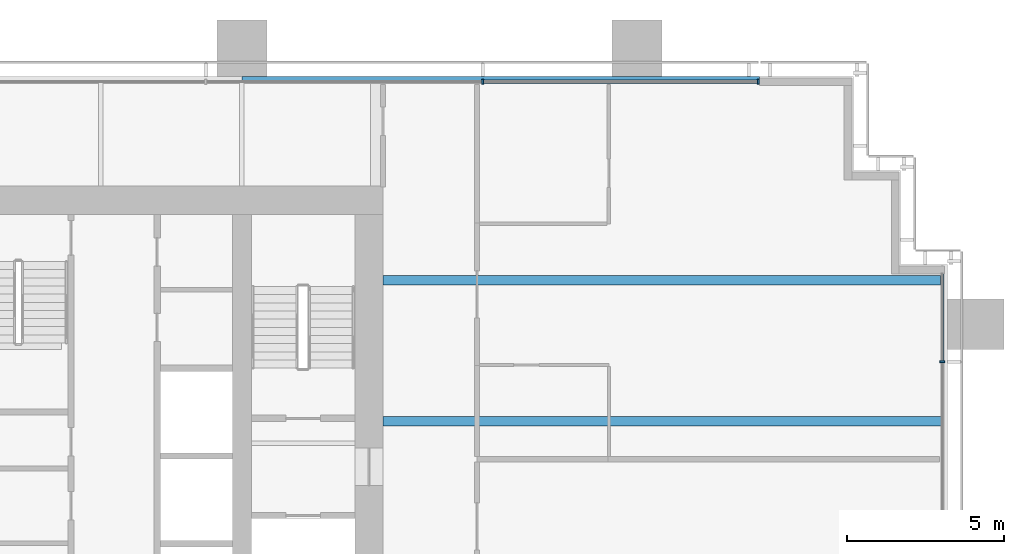
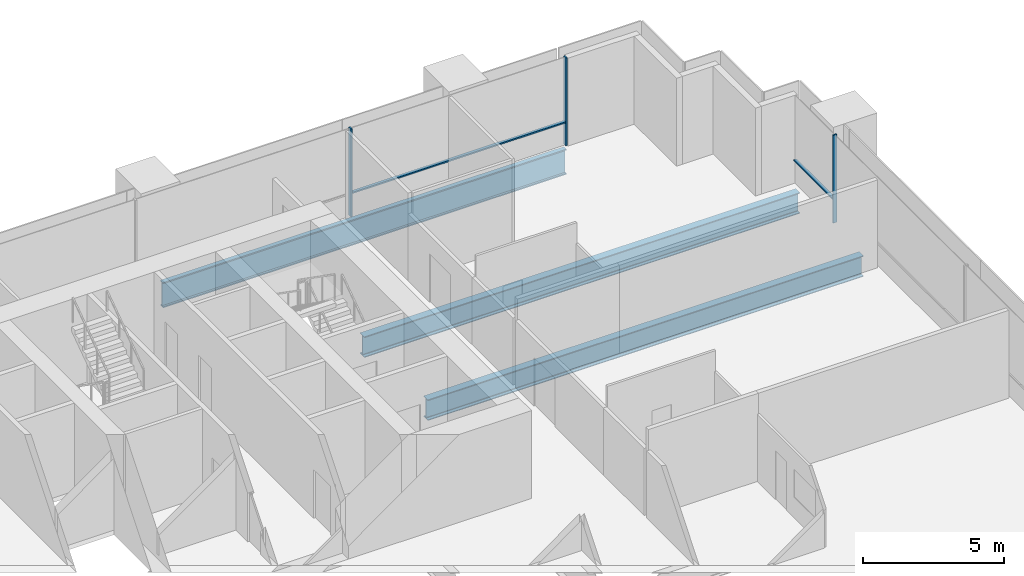
# One storey, part 10 of 19: 5 members, 3 beams, 2 elements without a shape of their own.
"""IFC4 building model written with IfcOpenShell, lengths in metres."""

from ifc_helpers import new_model, si_unit, direction, frame, origin, origin_2d, place, context, subcontext, project, spatial, rectangle, i_section, extrude, material, material_profile, profile_set, type_object, element, aggregate, save


model = new_model("IFC4")

# Units and contexts
model_context = context("Model", 3, precision=1e-05, world=origin(), true_north=direction((0.0, 1.0)))
body_context = subcontext(model_context, "Body", "Model", "MODEL_VIEW")
ifc_project = project(units=[si_unit("LENGTHUNIT", "METRE"), si_unit("AREAUNIT", "SQUARE_METRE"), si_unit("VOLUMEUNIT", "CUBIC_METRE"), si_unit("PLANEANGLEUNIT", "RADIAN"), si_unit("MASSUNIT", "GRAM", prefix="KILO")], contexts=[model_context])

# Site, building, storey
site_placement = place(None, origin())
site = spatial("IfcSite", under=ifc_project, at=site_placement, CompositionType="ELEMENT")
building_placement = place(site_placement, origin())
building = spatial("IfcBuilding", under=site, at=building_placement, Name="Rattan Terrace Tower", CompositionType="ELEMENT")
storey_placement = place(building_placement, frame((0.0, 0.0, 111.699951171875)))
storey = spatial("IfcBuildingStorey", under=building, at=storey_placement, Name="L25", CompositionType="ELEMENT", Elevation=111.699951171875)

# Curtain wall, member
ifc_material_1 = material(Name="Aluminium and glass", Category="aluminium")
curtain_wall_type = type_object("IfcCurtainWallType", Name="Facade Unitised Curtain Wall", PredefinedType="NOTDEFINED", material=ifc_material_1)
curtain_wall_1_placement = place(storey_placement, origin())
curtain_wall_1 = element("IfcCurtainWall", 1, at=curtain_wall_1_placement, inside=storey, type_object=curtain_wall_type, Name="Curtain wall L25-1", PredefinedType="NOTDEFINED")
ifc_material_2 = material(Name="Aluminium", Category="aluminium")
ifc_material_profile_1 = material_profile(ifc_material_2, rectangle(XDim=0.06005859375, YDim=0.159912109375, at=origin_2d()), Name="Aluminium 60x160")
ifc_profile_set_1 = profile_set([ifc_material_profile_1], Name="Aluminium")
member_type_1 = type_object("IfcMemberType", Name="Facade CW Mullion 60x160", PredefinedType="MULLION", material=ifc_profile_set_1)
member_1_placement = place(storey_placement, frame((35.830078125, 1.89990234375, 0.0), z_axis=(0.0, 0.0, 1.0), x_axis=(0.0, 1.0, 0.0)))
member_1 = element("IfcMember", 2, at=member_1_placement, type_object=member_type_1, Name="Mullion cwl-L25-001.4", PredefinedType="MULLION", context=body_context, shape_type="SweptSolid", body=[
    extrude(rectangle(XDim=0.06005859375, YDim=0.159912109375, at=origin_2d()), origin(), (0.0, 0.0, 1.0), 3.800048828125),
])

# Curtain wall, members
curtain_wall_2_placement = place(storey_placement, origin())
curtain_wall_2 = element("IfcCurtainWall", 3, at=curtain_wall_2_placement, inside=storey, type_object=curtain_wall_type, Name="Curtain wall L25-2", PredefinedType="NOTDEFINED")
member_2_placement = place(storey_placement, frame((29.969970703125, 10.830078125, 0.0), z_axis=(0.0, 0.0, 1.0), x_axis=(-1.0, 0.0, 0.0)))
member_2 = element("IfcMember", 4, at=member_2_placement, type_object=member_type_1, Name="Mullion cwl-L25-002.1", PredefinedType="MULLION", context=body_context, shape_type="SweptSolid", body=[
    extrude(rectangle(XDim=0.06005859375, YDim=0.159912109375, at=origin_2d()), origin(), (0.0, 0.0, 1.0), 3.800048828125),
])
member_3_placement = place(storey_placement, frame((21.177001953125, 10.830078125, 0.0), z_axis=(0.0, 0.0, 1.0), x_axis=(-1.0, 0.0, 0.0)))
member_3 = element("IfcMember", 5, at=member_3_placement, type_object=member_type_1, Name="Mullion cwl-L25-002.2", PredefinedType="MULLION", context=body_context, shape_type="SweptSolid", body=[
    extrude(rectangle(XDim=0.06005859375, YDim=0.159912109375, at=origin_2d()), origin(), (0.0, 0.0, 1.0), 3.800048828125),
])

# Member
ifc_material_3 = material(Name="Aluminium", Category="aluminium")
ifc_material_profile_2 = material_profile(ifc_material_3, rectangle(XDim=0.1201171875, YDim=0.06005859375, at=origin_2d()), Name="Aluminium 120x60")
ifc_profile_set_2 = profile_set([ifc_material_profile_2], Name="Aluminium")
member_type_2 = type_object("IfcMemberType", Name="Facade CW Transom 120x60", PredefinedType="USERDEFINED", material=ifc_profile_set_2)
member_4_placement = place(storey_placement, frame((35.830078125, 1.929931640625, 1.0), z_axis=(0.0, 1.0, 0.0), x_axis=(-1.0, 0.0, 0.0)))
member_4 = element("IfcMember", 6, at=member_4_placement, type_object=member_type_2, Name="Transom cwl-L25-001.4", ObjectType="TRANSOM", PredefinedType="USERDEFINED", context=body_context, shape_type="SweptSolid", body=[
    extrude(rectangle(XDim=0.1201171875, YDim=0.06005859375, at=origin_2d()), origin(), (0.0, 0.0, 1.0), 2.775146484375),
])

aggregate(curtain_wall_1, [member_1, member_4])

member_5_placement = place(storey_placement, frame((29.93994140625, 10.830078125, 1.0), z_axis=(-1.0, 0.0, 0.0), x_axis=(0.0, -1.0, 0.0)))
member_5 = element("IfcMember", 7, at=member_5_placement, type_object=member_type_2, Name="Transom cwl-L25-002.1", ObjectType="TRANSOM", PredefinedType="USERDEFINED", context=body_context, shape_type="SweptSolid", body=[
    extrude(rectangle(XDim=0.1201171875, YDim=0.06005859375, at=origin_2d()), origin(), (0.0, 0.0, 1.0), 8.73291015625),
])

aggregate(curtain_wall_2, [member_2, member_3, member_5])

# Beams
ifc_material_4 = material(Name="Steel S460", Category="steel")
ifc_material_profile_3 = material_profile(ifc_material_4, i_section(OverallWidth=0.179931640625, OverallDepth=1.10009765625, WebThickness=0.01611328125, FlangeThickness=0.050048828125, at=origin_2d()), Name="PG 1100x180-16-50")
ifc_profile_set_3 = profile_set([ifc_material_profile_3], Name="Steel S460")
beam_type_1 = type_object("IfcBeamType", Name="Frame edge girder PG 1100x180-16-50", PredefinedType="SPANDREL", material=ifc_profile_set_3)
beam_placement = place(storey_placement, frame((30.0, 10.909912109375, -0.75), z_axis=(-1.0, 0.0, 0.0), x_axis=(0.0, -1.0, 0.0)))
element("IfcBeam", 8, at=beam_placement, inside=storey, type_object=beam_type_1, Name="gdr-L25-008", PredefinedType="SPANDREL", context=body_context, shape_type="SweptSolid", body=[
    extrude(i_section(OverallWidth=0.179931640625, OverallDepth=1.10009765625, WebThickness=0.01611328125, FlangeThickness=0.050048828125, at=origin_2d()), origin(), (0.0, 0.0, 1.0), 16.5),
])
ifc_material_5 = material(Name="Steel S355", Category="steel")
ifc_material_profile_4 = material_profile(ifc_material_5, i_section(OverallWidth=0.300048828125, OverallDepth=0.89990234375, WebThickness=0.0185546875, FlangeThickness=0.034912109375, FilletRadius=0.030029296875, at=origin_2d()), Name="HE 900 B")
ifc_profile_set_4 = profile_set([ifc_material_profile_4], Name="Steel S355")
beam_type_2 = type_object("IfcBeamType", Name="Frame floor beam HE 900 B", PredefinedType="JOIST", material=ifc_profile_set_4)
for number, where, z_axis, x_axis, name in (
    (9, (18.0, 0.0, -0.64990234375), (1.0, 0.0, 0.0), (0.0, 1.0, 0.0), "bm-L25-015"),
    (10, (18.0, 4.5, -0.64990234375), (1.0, 0.0, 0.0), (0.0, 1.0, 0.0), "bm-L25-017"),
):
    element("IfcBeam", number, at=place(storey_placement, frame(where, z_axis=z_axis, x_axis=x_axis)), inside=storey, type_object=beam_type_2, Name=name, PredefinedType="JOIST", context=body_context, shape_type="SweptSolid", body=[
        extrude(i_section(OverallWidth=0.300048828125, OverallDepth=0.89990234375, WebThickness=0.0185546875, FlangeThickness=0.034912109375, FilletRadius=0.030029296875, at=origin_2d()), origin(), (0.0, 0.0, 1.0), 17.820068359375),
    ])

save(model, "model.ifc")
